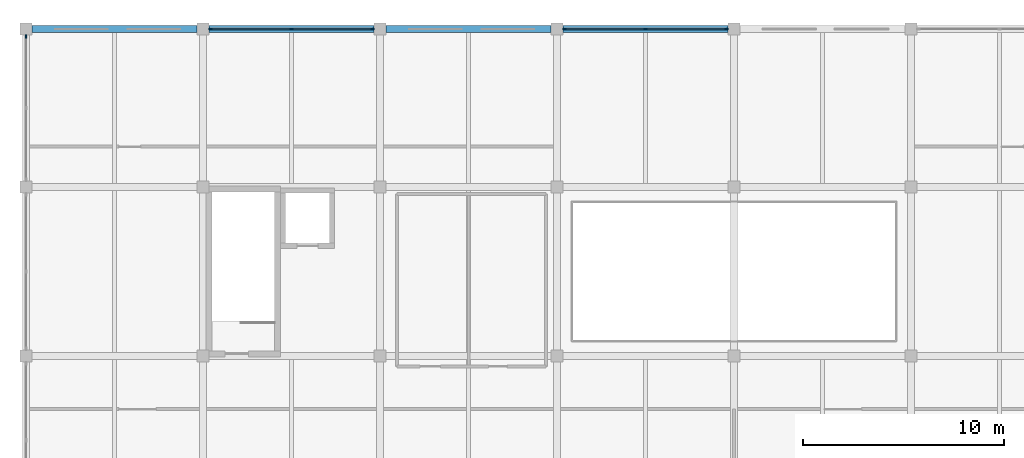
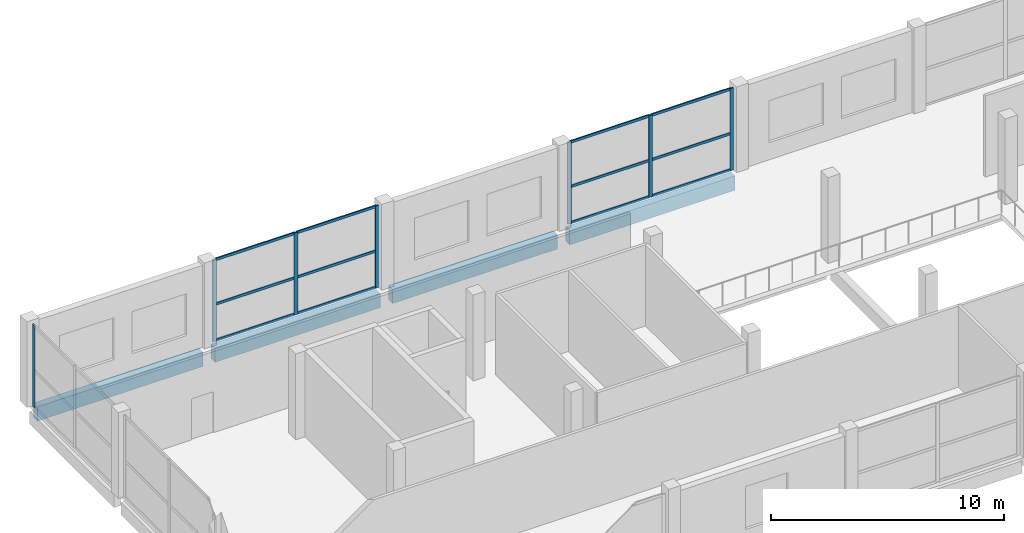
# One storey, part 7 of 18: 19 members, 4 beams, 3 elements without a shape of their own.
"""IFC4 building model written with IfcOpenShell, lengths in metres."""

from ifc_helpers import new_model, si_unit, direction, frame, origin, origin_2d, place, context, subcontext, project, spatial, rectangle, extrude, material, material_profile, profile_set, type_object, element, aggregate, save


model = new_model("IFC4")

# Units and contexts
model_context = context("Model", 3, precision=1e-05, world=origin(), true_north=direction((0.0, 1.0)))
body_context = subcontext(model_context, "Body", "Model", "MODEL_VIEW")
ifc_project = project(units=[si_unit("LENGTHUNIT", "METRE"), si_unit("AREAUNIT", "SQUARE_METRE"), si_unit("VOLUMEUNIT", "CUBIC_METRE"), si_unit("PLANEANGLEUNIT", "RADIAN"), si_unit("MASSUNIT", "GRAM", prefix="KILO")], contexts=[model_context])

# Site, building, storey
site_placement = place(None, origin())
site = spatial("IfcSite", under=ifc_project, at=site_placement, CompositionType="ELEMENT")
building_placement = place(site_placement, origin())
building = spatial("IfcBuilding", under=site, at=building_placement, Name="Brinegate Botanical Conservatory", CompositionType="ELEMENT")
storey_placement = place(building_placement, frame((0.0, 0.0, 14.699951171875)))
storey = spatial("IfcBuildingStorey", under=building, at=storey_placement, Name="L04", CompositionType="ELEMENT", Elevation=14.699951171875)

# Beams
ifc_material_1 = material(Name="Concrete C40/50", Category="concrete")
ifc_material_profile_1 = material_profile(ifc_material_1, rectangle(XDim=0.35009765625, YDim=0.75, at=origin_2d()), Name="RC SPN 350x750")
ifc_profile_set_1 = profile_set([ifc_material_profile_1], Name="Concrete C40/50")
beam_type = type_object("IfcBeamType", Name="Beam_SP-01", PredefinedType="SPANDREL", material=ifc_profile_set_1)
beam_1_placement = place(storey_placement, frame((51.10009765625, 111.449951171875, -0.614990234375), z_axis=(1.0, 0.0, 0.0), x_axis=(0.0, 1.0, 0.0)))
element("IfcBeam", 1, at=beam_1_placement, inside=storey, type_object=beam_type, Name="Beam SP-01 L04 P:7-8", PredefinedType="SPANDREL", context=body_context, shape_type="SweptSolid", body=[
    extrude(rectangle(XDim=0.35009765625, YDim=0.75, at=origin_2d()), origin(), (0.0, 0.0, 1.0), 8.199951171875),
])
beam_2_placement = place(storey_placement, frame((59.89990234375, 111.449951171875, -0.614990234375), z_axis=(1.0, 0.0, 0.0), x_axis=(0.0, 1.0, 0.0)))
element("IfcBeam", 2, at=beam_2_placement, inside=storey, type_object=beam_type, Name="Beam SP-01 L04 P:8-9", PredefinedType="SPANDREL", context=body_context, shape_type="SweptSolid", body=[
    extrude(rectangle(XDim=0.35009765625, YDim=0.75, at=origin_2d()), origin(), (0.0, 0.0, 1.0), 8.2001953125),
])
for number, where, z_axis, x_axis, name in (
    (3, (68.699951171875, 111.449951171875, -0.614990234375), (1.0, 0.0, 0.0), (0.0, 1.0, 0.0), "Beam SP-01 L04 P:9-10"),
    (4, (77.5, 111.449951171875, -0.614990234375), (1.0, 0.0, 0.0), (0.0, 1.0, 0.0), "Beam SP-01 L04 P:10-11"),
):
    element("IfcBeam", number, at=place(storey_placement, frame(where, z_axis=z_axis, x_axis=x_axis)), inside=storey, type_object=beam_type, Name=name, PredefinedType="SPANDREL", context=body_context, shape_type="SweptSolid", body=[
        extrude(rectangle(XDim=0.35009765625, YDim=0.75, at=origin_2d()), origin(), (0.0, 0.0, 1.0), 8.199951171875),
    ])

# Curtain wall, members
ifc_material_2 = material(Name="Thermally broken anodised aluminium AW-6063-T6", Category="aluminium")
curtain_wall_type = type_object("IfcCurtainWallType", Name="CW_CW-V3", PredefinedType="USERDEFINED", material=ifc_material_2)
curtain_wall_1_placement = place(storey_placement, origin())
curtain_wall_1 = element("IfcCurtainWall", 5, at=curtain_wall_1_placement, inside=storey, type_object=curtain_wall_type, Name="Visitor north factory curtain wall L04.2", ObjectType="FACTORY CURTAIN WALL", PredefinedType="USERDEFINED")
ifc_material_profile_2 = material_profile(ifc_material_2, rectangle(XDim=0.06494140625, YDim=0.179931640625, at=origin_2d()), Name="ALUM MULLION 65x180")
ifc_profile_set_2 = profile_set([ifc_material_profile_2], Name="Thermally broken anodised aluminium AW-6063-T6")
member_type_1 = type_object("IfcMemberType", Name="Member_ML-02", PredefinedType="MULLION", material=ifc_profile_set_2)
member_1_placement = place(storey_placement, frame((59.972412109375, 111.449951171875, 0.0), z_axis=(0.0, 0.0, 1.0), x_axis=(0.0, 1.0, 0.0)))
member_1 = element("IfcMember", 6, at=member_1_placement, type_object=member_type_1, Name="CW-V3 mullion 1", PredefinedType="MULLION", context=body_context, shape_type="SweptSolid", body=[
    extrude(rectangle(XDim=0.06494140625, YDim=0.179931640625, at=origin_2d()), origin(), (0.0, 0.0, 1.0), 4.300048828125),
])
member_2_placement = place(storey_placement, frame((64.0, 111.449951171875, 0.0), z_axis=(0.0, 0.0, 1.0), x_axis=(0.0, 1.0, 0.0)))
member_2 = element("IfcMember", 7, at=member_2_placement, type_object=member_type_1, Name="CW-V3 mullion 2", PredefinedType="MULLION", context=body_context, shape_type="SweptSolid", body=[
    extrude(rectangle(XDim=0.06494140625, YDim=0.179931640625, at=origin_2d()), origin(), (0.0, 0.0, 1.0), 4.300048828125),
])
member_3_placement = place(storey_placement, frame((68.027587890625, 111.449951171875, 0.0), z_axis=(0.0, 0.0, 1.0), x_axis=(0.0, 1.0, 0.0)))
member_3 = element("IfcMember", 8, at=member_3_placement, type_object=member_type_1, Name="CW-V3 mullion 3", PredefinedType="MULLION", context=body_context, shape_type="SweptSolid", body=[
    extrude(rectangle(XDim=0.06494140625, YDim=0.179931640625, at=origin_2d()), origin(), (0.0, 0.0, 1.0), 4.300048828125),
])

curtain_wall_2_placement = place(storey_placement, origin())
curtain_wall_2 = element("IfcCurtainWall", 9, at=curtain_wall_2_placement, inside=storey, type_object=curtain_wall_type, Name="Visitor north factory curtain wall L04.4", ObjectType="FACTORY CURTAIN WALL", PredefinedType="USERDEFINED")
member_4_placement = place(storey_placement, frame((77.572509765625, 111.449951171875, 0.0), z_axis=(0.0, 0.0, 1.0), x_axis=(0.0, 1.0, 0.0)))
member_4 = element("IfcMember", 10, at=member_4_placement, type_object=member_type_1, Name="CW-V3 mullion 1", PredefinedType="MULLION", context=body_context, shape_type="SweptSolid", body=[
    extrude(rectangle(XDim=0.06494140625, YDim=0.179931640625, at=origin_2d()), origin(), (0.0, 0.0, 1.0), 4.300048828125),
])
member_5_placement = place(storey_placement, frame((81.60009765625, 111.449951171875, 0.0), z_axis=(0.0, 0.0, 1.0), x_axis=(0.0, 1.0, 0.0)))
member_5 = element("IfcMember", 11, at=member_5_placement, type_object=member_type_1, Name="CW-V3 mullion 2", PredefinedType="MULLION", context=body_context, shape_type="SweptSolid", body=[
    extrude(rectangle(XDim=0.06494140625, YDim=0.179931640625, at=origin_2d()), origin(), (0.0, 0.0, 1.0), 4.300048828125),
])
member_6_placement = place(storey_placement, frame((85.62744140625, 111.449951171875, 0.0), z_axis=(0.0, 0.0, 1.0), x_axis=(0.0, 1.0, 0.0)))
member_6 = element("IfcMember", 12, at=member_6_placement, type_object=member_type_1, Name="CW-V3 mullion 3", PredefinedType="MULLION", context=body_context, shape_type="SweptSolid", body=[
    extrude(rectangle(XDim=0.06494140625, YDim=0.179931640625, at=origin_2d()), origin(), (0.0, 0.0, 1.0), 4.300048828125),
])

# Curtain wall, member
curtain_wall_3_placement = place(storey_placement, origin())
curtain_wall_3 = element("IfcCurtainWall", 13, at=curtain_wall_3_placement, inside=storey, type_object=curtain_wall_type, Name="Visitor west forecourt curtain wall L04.3", ObjectType="FACTORY CURTAIN WALL", PredefinedType="USERDEFINED")
member_7_placement = place(storey_placement, frame((50.800048828125, 111.077392578125, 0.0), z_axis=(0.0, 0.0, 1.0), x_axis=(-1.0, 0.0, 0.0)))
member_7 = element("IfcMember", 14, at=member_7_placement, type_object=member_type_1, Name="CW-V3 mullion 3", PredefinedType="MULLION", context=body_context, shape_type="SweptSolid", body=[
    extrude(rectangle(XDim=0.06494140625, YDim=0.179931640625, at=origin_2d()), origin(), (0.0, 0.0, 1.0), 4.300048828125),
])
aggregate(curtain_wall_3, [member_7])

# Member
ifc_material_profile_3 = material_profile(ifc_material_2, rectangle(XDim=0.06494140625, YDim=0.135009765625, at=origin_2d()), Name="ALUM TRANSOM 65x135")
ifc_profile_set_3 = profile_set([ifc_material_profile_3], Name="Thermally broken anodised aluminium AW-6063-T6")
member_type_2 = type_object("IfcMemberType", Name="Member_TR-02", PredefinedType="USERDEFINED", material=ifc_profile_set_3)
member_8_placement = place(storey_placement, frame((60.0048828125, 111.449951171875, 0.032470703125), z_axis=(1.0, 0.0, 0.0), x_axis=(0.0, 1.0, 0.0)))
member_8 = element("IfcMember", 15, at=member_8_placement, type_object=member_type_2, Name="CW-V3 transom 1.1", ObjectType="TRANSOM", PredefinedType="USERDEFINED", context=body_context, shape_type="SweptSolid", body=[
    extrude(rectangle(XDim=0.06494140625, YDim=0.135009765625, at=origin_2d()), origin(), (0.0, 0.0, 1.0), 3.962646484375),
])

member_9_placement = place(storey_placement, frame((60.0048828125, 111.449951171875, 1.93505859375), z_axis=(1.0, 0.0, 0.0), x_axis=(0.0, 1.0, 0.0)))
member_9 = element("IfcMember", 16, at=member_9_placement, type_object=member_type_2, Name="CW-V3 transom 1.2", ObjectType="TRANSOM", PredefinedType="USERDEFINED", context=body_context, shape_type="SweptSolid", body=[
    extrude(rectangle(XDim=0.06494140625, YDim=0.135009765625, at=origin_2d()), origin(), (0.0, 0.0, 1.0), 3.962646484375),
])

member_10_placement = place(storey_placement, frame((60.0048828125, 111.449951171875, 4.267578125), z_axis=(1.0, 0.0, 0.0), x_axis=(0.0, 1.0, 0.0)))
member_10 = element("IfcMember", 17, at=member_10_placement, type_object=member_type_2, Name="CW-V3 transom 1.3", ObjectType="TRANSOM", PredefinedType="USERDEFINED", context=body_context, shape_type="SweptSolid", body=[
    extrude(rectangle(XDim=0.06494140625, YDim=0.135009765625, at=origin_2d()), origin(), (0.0, 0.0, 1.0), 3.962646484375),
])

member_11_placement = place(storey_placement, frame((64.032470703125, 111.449951171875, 0.032470703125), z_axis=(1.0, 0.0, 0.0), x_axis=(0.0, 1.0, 0.0)))
member_11 = element("IfcMember", 18, at=member_11_placement, type_object=member_type_2, Name="CW-V3 transom 2.1", ObjectType="TRANSOM", PredefinedType="USERDEFINED", context=body_context, shape_type="SweptSolid", body=[
    extrude(rectangle(XDim=0.06494140625, YDim=0.135009765625, at=origin_2d()), origin(), (0.0, 0.0, 1.0), 3.962646484375),
])

member_12_placement = place(storey_placement, frame((64.032470703125, 111.449951171875, 1.93505859375), z_axis=(1.0, 0.0, 0.0), x_axis=(0.0, 1.0, 0.0)))
member_12 = element("IfcMember", 19, at=member_12_placement, type_object=member_type_2, Name="CW-V3 transom 2.2", ObjectType="TRANSOM", PredefinedType="USERDEFINED", context=body_context, shape_type="SweptSolid", body=[
    extrude(rectangle(XDim=0.06494140625, YDim=0.135009765625, at=origin_2d()), origin(), (0.0, 0.0, 1.0), 3.962646484375),
])

member_13_placement = place(storey_placement, frame((64.032470703125, 111.449951171875, 4.267578125), z_axis=(1.0, 0.0, 0.0), x_axis=(0.0, 1.0, 0.0)))
member_13 = element("IfcMember", 20, at=member_13_placement, type_object=member_type_2, Name="CW-V3 transom 2.3", ObjectType="TRANSOM", PredefinedType="USERDEFINED", context=body_context, shape_type="SweptSolid", body=[
    extrude(rectangle(XDim=0.06494140625, YDim=0.135009765625, at=origin_2d()), origin(), (0.0, 0.0, 1.0), 3.962646484375),
])

aggregate(curtain_wall_1, [member_1, member_2, member_3, member_8, member_9, member_10, member_11, member_12, member_13])

member_14_placement = place(storey_placement, frame((77.60498046875, 111.449951171875, 0.032470703125), z_axis=(1.0, 0.0, 0.0), x_axis=(0.0, 1.0, 0.0)))
member_14 = element("IfcMember", 21, at=member_14_placement, type_object=member_type_2, Name="CW-V3 transom 1.1", ObjectType="TRANSOM", PredefinedType="USERDEFINED", context=body_context, shape_type="SweptSolid", body=[
    extrude(rectangle(XDim=0.06494140625, YDim=0.135009765625, at=origin_2d()), origin(), (0.0, 0.0, 1.0), 3.96240234375),
])

member_15_placement = place(storey_placement, frame((77.60498046875, 111.449951171875, 1.93505859375), z_axis=(1.0, 0.0, 0.0), x_axis=(0.0, 1.0, 0.0)))
member_15 = element("IfcMember", 22, at=member_15_placement, type_object=member_type_2, Name="CW-V3 transom 1.2", ObjectType="TRANSOM", PredefinedType="USERDEFINED", context=body_context, shape_type="SweptSolid", body=[
    extrude(rectangle(XDim=0.06494140625, YDim=0.135009765625, at=origin_2d()), origin(), (0.0, 0.0, 1.0), 3.96240234375),
])

member_16_placement = place(storey_placement, frame((77.60498046875, 111.449951171875, 4.267578125), z_axis=(1.0, 0.0, 0.0), x_axis=(0.0, 1.0, 0.0)))
member_16 = element("IfcMember", 23, at=member_16_placement, type_object=member_type_2, Name="CW-V3 transom 1.3", ObjectType="TRANSOM", PredefinedType="USERDEFINED", context=body_context, shape_type="SweptSolid", body=[
    extrude(rectangle(XDim=0.06494140625, YDim=0.135009765625, at=origin_2d()), origin(), (0.0, 0.0, 1.0), 3.96240234375),
])

member_17_placement = place(storey_placement, frame((81.632568359375, 111.449951171875, 0.032470703125), z_axis=(1.0, 0.0, 0.0), x_axis=(0.0, 1.0, 0.0)))
member_17 = element("IfcMember", 24, at=member_17_placement, type_object=member_type_2, Name="CW-V3 transom 2.1", ObjectType="TRANSOM", PredefinedType="USERDEFINED", context=body_context, shape_type="SweptSolid", body=[
    extrude(rectangle(XDim=0.06494140625, YDim=0.135009765625, at=origin_2d()), origin(), (0.0, 0.0, 1.0), 3.96240234375),
])

member_18_placement = place(storey_placement, frame((81.632568359375, 111.449951171875, 1.93505859375), z_axis=(1.0, 0.0, 0.0), x_axis=(0.0, 1.0, 0.0)))
member_18 = element("IfcMember", 25, at=member_18_placement, type_object=member_type_2, Name="CW-V3 transom 2.2", ObjectType="TRANSOM", PredefinedType="USERDEFINED", context=body_context, shape_type="SweptSolid", body=[
    extrude(rectangle(XDim=0.06494140625, YDim=0.135009765625, at=origin_2d()), origin(), (0.0, 0.0, 1.0), 3.96240234375),
])

member_19_placement = place(storey_placement, frame((81.632568359375, 111.449951171875, 4.267578125), z_axis=(1.0, 0.0, 0.0), x_axis=(0.0, 1.0, 0.0)))
member_19 = element("IfcMember", 26, at=member_19_placement, type_object=member_type_2, Name="CW-V3 transom 2.3", ObjectType="TRANSOM", PredefinedType="USERDEFINED", context=body_context, shape_type="SweptSolid", body=[
    extrude(rectangle(XDim=0.06494140625, YDim=0.135009765625, at=origin_2d()), origin(), (0.0, 0.0, 1.0), 3.96240234375),
])

aggregate(curtain_wall_2, [member_4, member_5, member_6, member_14, member_15, member_16, member_17, member_18, member_19])

save(model, "model.ifc")
